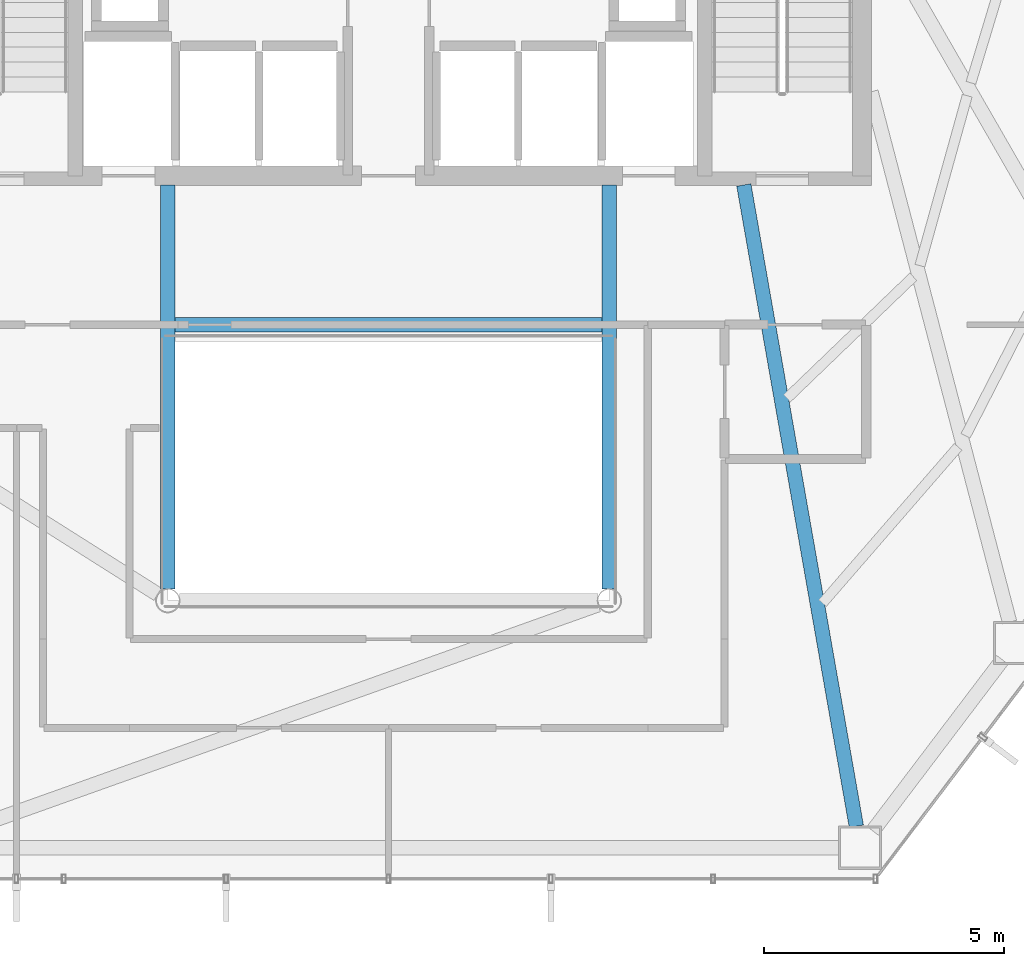
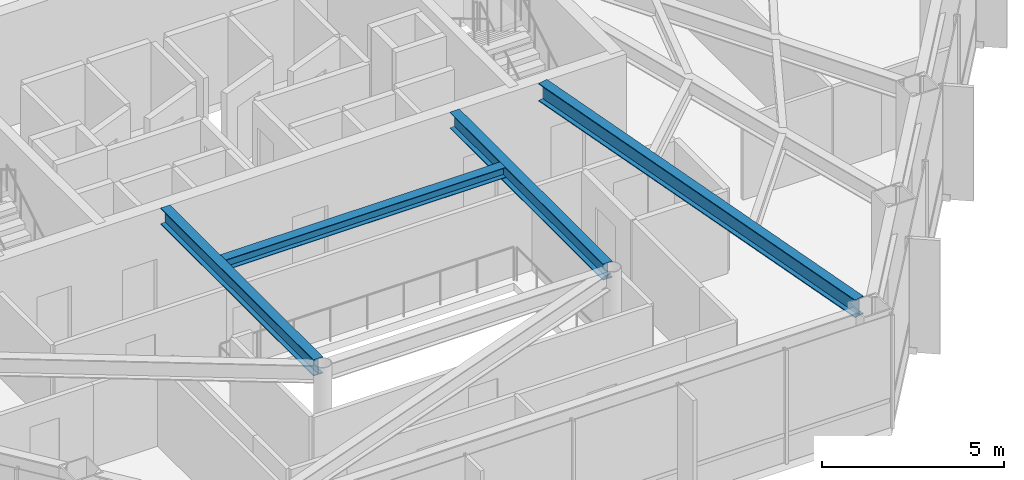
# One storey, part 9 of 24: 4 beams.
"""IFC4 building model written with IfcOpenShell, lengths in metres."""

from ifc_helpers import new_model, si_unit, direction, frame, origin, origin_2d, place, context, subcontext, project, spatial, i_section, extrude, material, material_profile, profile_set, type_object, element, save


model = new_model("IFC4")

# Units and contexts
model_context = context("Model", 3, precision=1e-05, world=origin(), true_north=direction((0.0, 1.0)))
body_context = subcontext(model_context, "Body", "Model", "MODEL_VIEW")
ifc_project = project(units=[si_unit("LENGTHUNIT", "METRE"), si_unit("AREAUNIT", "SQUARE_METRE"), si_unit("VOLUMEUNIT", "CUBIC_METRE"), si_unit("PLANEANGLEUNIT", "RADIAN"), si_unit("MASSUNIT", "GRAM", prefix="KILO")], contexts=[model_context])

# Site, building, storey
site_placement = place(None, origin())
site = spatial("IfcSite", under=ifc_project, at=site_placement, CompositionType="ELEMENT")
building_placement = place(site_placement, origin())
building = spatial("IfcBuilding", under=site, at=building_placement, Name="Zarrinselat Tower", CompositionType="ELEMENT")
storey_placement = place(building_placement, frame((0.0, 0.0, 72.419921875)))
storey = spatial("IfcBuildingStorey", under=building, at=storey_placement, Name="L17", CompositionType="ELEMENT", Elevation=72.419921875)

# Beams
ifc_material_1 = material(Name="Steel S355J2", Category="steel")
ifc_material_profile_1 = material_profile(ifc_material_1, i_section(OverallWidth=0.300048828125, OverallDepth=0.35009765625, WebThickness=0.010009765625, FlangeThickness=0.017578125, at=origin_2d()), Name="HEA 360")
ifc_profile_set_1 = profile_set([ifc_material_profile_1], Name="Steel S355J2")
beam_type_1 = type_object("IfcBeamType", Name="BM-HEA360", PredefinedType="LINTEL", material=ifc_profile_set_1)
beam_1_placement = place(storey_placement, frame((33.93994140625, 30.14990234375, 3.64501953125), z_axis=(1.0, 0.0, 0.0), x_axis=(0.0, 1.0, 0.0)))
element("IfcBeam", 1, at=beam_1_placement, inside=storey, type_object=beam_type_1, Name="L17 Lift Lobby Ceiling Beam", PredefinedType="LINTEL", context=body_context, shape_type="SweptSolid", body=[
    extrude(i_section(OverallWidth=0.300048828125, OverallDepth=0.35009765625, WebThickness=0.010009765625, FlangeThickness=0.017578125, at=origin_2d()), origin(), (0.0, 0.0, 1.0), 8.920166015625),
])
ifc_material_2 = material(Name="Steel S355J2", Category="steel")
ifc_material_profile_2 = material_profile(ifc_material_2, i_section(OverallWidth=0.300048828125, OverallDepth=0.550048828125, WebThickness=0.014892578125, FlangeThickness=0.029052734375, at=origin_2d()), Name="HEB 550")
ifc_profile_set_2 = profile_set([ifc_material_profile_2], Name="Steel S355J2")
beam_type_2 = type_object("IfcBeamType", Name="BM-HEB550", PredefinedType="BEAM", material=ifc_profile_set_2)
for number, where, z_axis, x_axis, name in (
    (2, (33.800048828125, 24.639892578125, 3.545166015625), (0.0, 1.0, 0.0), (-1.0, 0.0, 0.0), "L17 Atrium Edge Beam W"),
    (3, (43.0, 24.639892578125, 3.545166015625), (0.0, 1.0, 0.0), (-1.0, 0.0, 0.0), "L17 Atrium Edge Beam E"),
):
    element("IfcBeam", number, at=place(storey_placement, frame(where, z_axis=z_axis, x_axis=x_axis)), inside=storey, type_object=beam_type_2, Name=name, PredefinedType="BEAM", context=body_context, shape_type="SweptSolid", body=[
        extrude(i_section(OverallWidth=0.300048828125, OverallDepth=0.550048828125, WebThickness=0.014892578125, FlangeThickness=0.029052734375, at=origin_2d()), origin(), (0.0, 0.0, 1.0), 8.420166015625),
    ])
ifc_material_3 = material(Name="Steel S355J2", Category="steel")
ifc_material_profile_3 = material_profile(ifc_material_3, i_section(OverallWidth=0.300048828125, OverallDepth=0.60009765625, WebThickness=0.015380859375, FlangeThickness=0.030029296875, at=origin_2d()), Name="HEB 600")
ifc_profile_set_3 = profile_set([ifc_material_profile_3], Name="Steel S355J2")
beam_type_3 = type_object("IfcBeamType", Name="BM-HEB600", PredefinedType="BEAM", material=ifc_profile_set_3)
beam_2_placement = place(storey_placement, frame((45.800048828125, 33.06005859375, 3.52001953125), z_axis=(0.172810812849, -0.98495503601, 0.0), x_axis=(0.98495503601, 0.172810812849, 0.0)))
element("IfcBeam", 4, at=beam_2_placement, inside=storey, type_object=beam_type_3, Name="L17 Radial Primary Girder RG11", PredefinedType="BEAM", context=body_context, shape_type="SweptSolid", body=[
    extrude(i_section(OverallWidth=0.300048828125, OverallDepth=0.60009765625, WebThickness=0.015380859375, FlangeThickness=0.030029296875, at=origin_2d()), origin(), (0.0, 0.0, 1.0), 13.56396484375),
])

save(model, "model.ifc")
